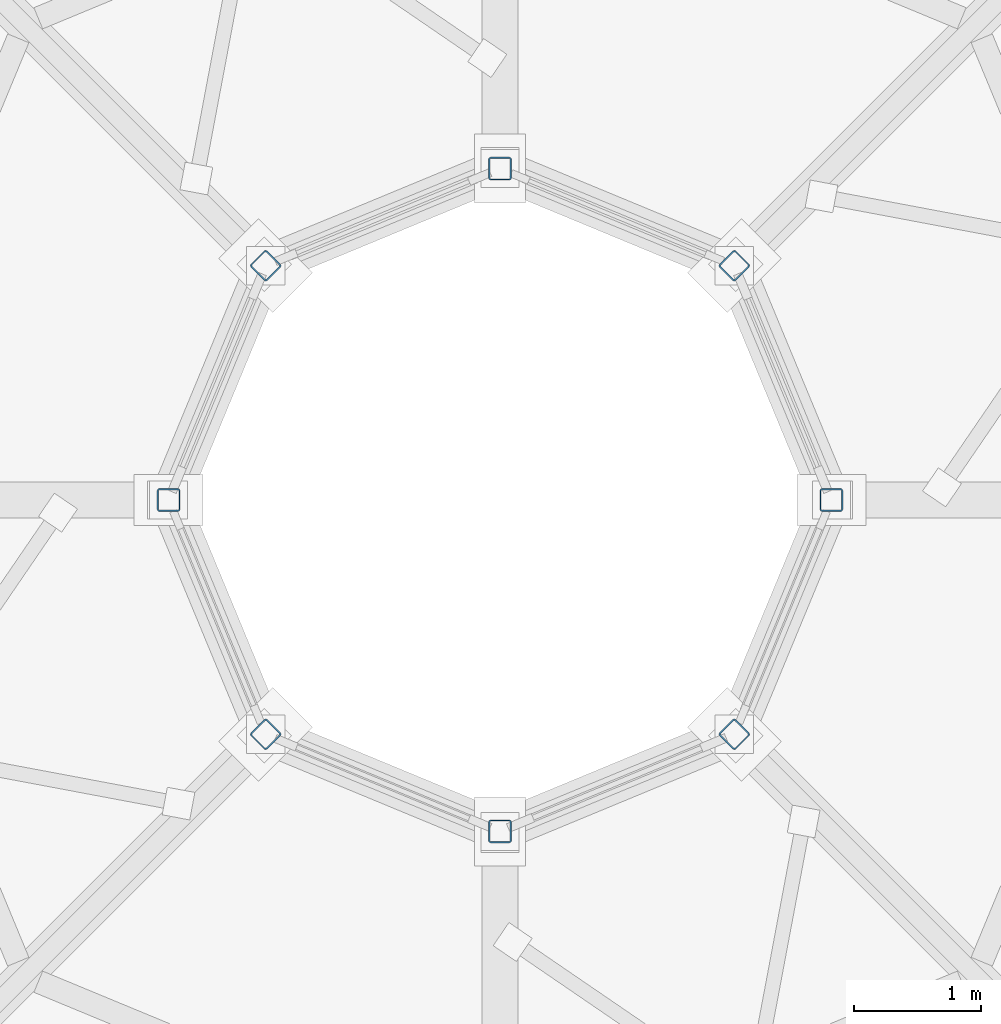
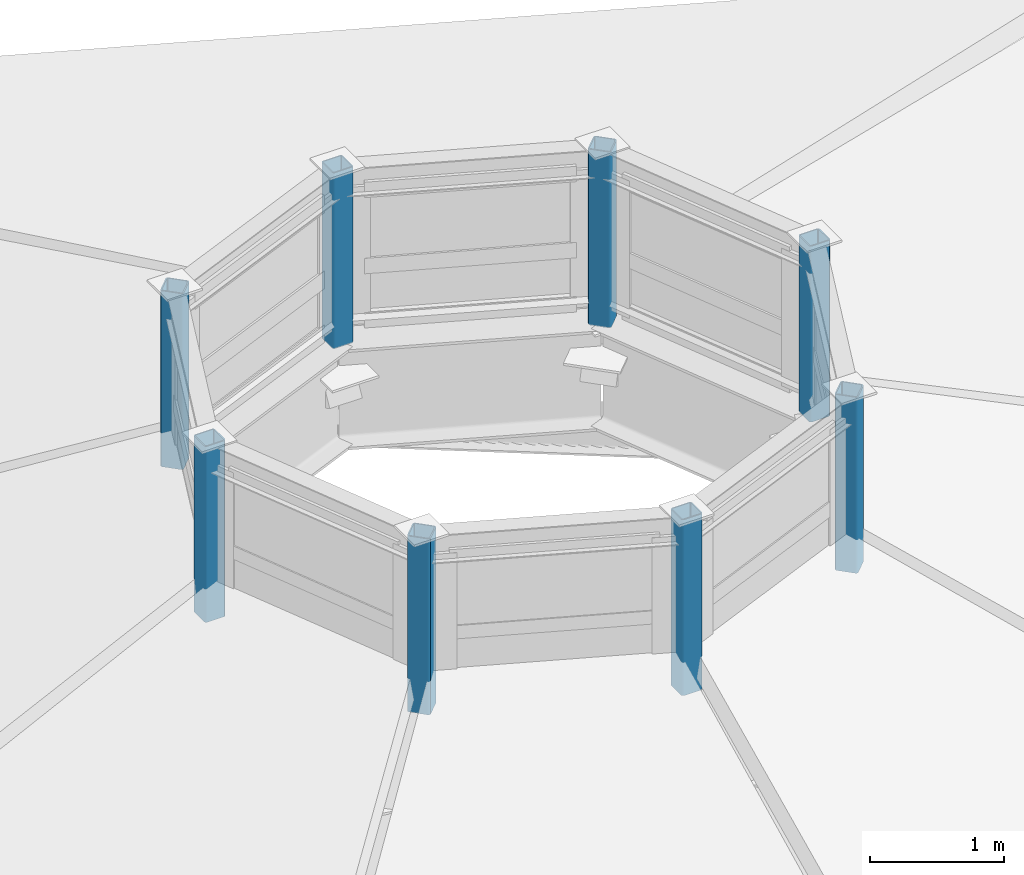
# One storey, part 11 of 66: 8 columns.
"""IFC4 building model written with IfcOpenShell, lengths in metres."""

import ifcopenshell
import ifcopenshell.guid

model = None  # the IFC model being written
_history = None  # IfcOwnerHistory: only IFC2X3 demands one
_inside = {}  # id of a spatial element -> (the spatial element, [elements in it])
_under = {}  # id of a project, library or spatial element -> (it, [spatial elements below it])
_declared = {}  # id of a project -> (the project, [libraries it declares])
_typed = {}  # id of a type object -> (the type object, [elements of that type])
_made_of = {}  # id of a material, layer set ... -> (it, [elements and type objects made of it])


def new_model(schema):
    """Start an empty IFC model of exactly this schema.

    Asked for "IFC4X3", IfcOpenShell would pick the latest addendum, in which some entities
    have other attributes; the version numbers below select the first issue.
    IFC2X3 requires an IfcOwnerHistory on every rooted entity: one is made here for all.
    """
    global model, _history
    if schema == "IFC4X3":
        model = ifcopenshell.file(schema_version=(4, 3, 0, 0))
    else:
        model = ifcopenshell.file(schema=schema)
    _inside.clear()
    _under.clear()
    _declared.clear()
    _typed.clear()
    _made_of.clear()
    _history = None
    if model.schema == "IFC2X3":
        org = make("IfcOrganization", Name="unknown")
        user = make(
            "IfcPersonAndOrganization",
            ThePerson=make("IfcPerson", FamilyName="unknown"),
            TheOrganization=org,
        )
        app = make(
            "IfcApplication",
            ApplicationDeveloper=org,
            Version="unknown",
            ApplicationFullName="unknown",
            ApplicationIdentifier="unknown",
        )
        _history = make(
            "IfcOwnerHistory",
            OwningUser=user,
            OwningApplication=app,
            ChangeAction="ADDED",
            CreationDate=0,
        )
    return model


def make(cls, **values):
    """One entity of the class cls with the attributes given. An attribute that is None is left unset."""
    return model.create_entity(
        cls, **{name: value for name, value in values.items() if value is not None}
    )


def rooted(cls, **values):
    """An entity with a GlobalId (a new one), such as an element, a storey or a relation."""
    return make(cls, GlobalId=ifcopenshell.guid.new(), OwnerHistory=_history, **values)


def si_unit(unit_type, name, prefix=None):
    """IfcSIUnit, for example si_unit("LENGTHUNIT", "METRE", prefix="MILLI")."""
    return make("IfcSIUnit", UnitType=unit_type, Prefix=prefix, Name=name)


def assignment(units):
    """IfcUnitAssignment: the units of a project."""
    return None if units is None else make("IfcUnitAssignment", Units=units)


def point(xyz):
    """IfcCartesianPoint."""
    return None if xyz is None else make("IfcCartesianPoint", Coordinates=xyz)


def direction(xyz):
    """IfcDirection."""
    return None if xyz is None else make("IfcDirection", DirectionRatios=xyz)


def frame(location, z_axis=None, x_axis=None):
    """IfcAxis2Placement3D, a coordinate frame: its origin and axes. An axis left out is left unset."""
    return make(
        "IfcAxis2Placement3D",
        Location=point(location),
        Axis=direction(z_axis),
        RefDirection=direction(x_axis),
    )


def frame_2d(location, x_axis=None):
    """IfcAxis2Placement2D, a coordinate frame in the plane: its origin and x axis."""
    return make(
        "IfcAxis2Placement2D", Location=point(location), RefDirection=direction(x_axis)
    )


def origin():
    """The frame at (0, 0, 0) with its axes left unset."""
    return frame((0.0, 0.0, 0.0))


def origin_2d():
    """The frame at (0, 0) in the plane with its x axis left unset."""
    return frame_2d((0.0, 0.0))


def place(relative_to, where):
    """IfcLocalPlacement: puts the frame where relative to a parent placement (None: the world)."""
    return make(
        "IfcLocalPlacement", PlacementRelTo=relative_to, RelativePlacement=where
    )


def context(
    kind, dimensions, precision=None, world=None, true_north=None, identifier=None
):
    """IfcGeometricRepresentationContext, for example the 3D "Model" context."""
    return make(
        "IfcGeometricRepresentationContext",
        ContextIdentifier=identifier,
        ContextType=kind,
        CoordinateSpaceDimension=dimensions,
        Precision=precision,
        WorldCoordinateSystem=world,
        TrueNorth=true_north,
    )


def subcontext(parent, identifier, kind, view, scale=None):
    """IfcGeometricRepresentationSubContext, for example "Body" below "Model"."""
    return make(
        "IfcGeometricRepresentationSubContext",
        ContextIdentifier=identifier,
        ContextType=kind,
        ParentContext=parent,
        TargetScale=scale,
        TargetView=view,
    )


def project(units=None, contexts=None):
    """IfcProject with its units and contexts."""
    return rooted(
        "IfcProject",
        Name="project",
        RepresentationContexts=contexts,
        UnitsInContext=assignment(units),
    )


def spatial(cls, under=None, at=None, **own):
    """A site, building, storey or space (cls), placed at a placement, below another one or the project."""
    s = rooted(cls, ObjectPlacement=at, **own)
    if under is not None:
        _under.setdefault(under.id(), (under, []))[1].append(s)
    return s


def profile(cls, at=None, kind="AREA", **sizes):
    """A parametric profile (cls). Its sizes go by their IFC names, for example OverallWidth=200.0."""
    return make(cls, ProfileType=kind, Position=at, **sizes)


def hollow_rectangle(**sizes):
    """IfcRectangleHollowProfileDef."""
    return profile("IfcRectangleHollowProfileDef", **sizes)


def extrude(swept, where, along, depth):
    """IfcExtrudedAreaSolid: the profile swept, set in the frame where, extruded along a direction by depth."""
    return make(
        "IfcExtrudedAreaSolid",
        SweptArea=swept,
        Position=where,
        ExtrudedDirection=direction(along),
        Depth=depth,
    )


def shape(context_of_items, identifier, shape_type, items):
    """IfcShapeRepresentation: the items that make up one representation, for example the "Body"."""
    return make(
        "IfcShapeRepresentation",
        ContextOfItems=context_of_items,
        RepresentationIdentifier=identifier,
        RepresentationType=shape_type,
        Items=items,
    )


def material(Name=None, Category=None):
    """IfcMaterial."""
    return make("IfcMaterial", Name=Name, Category=Category)


def material_profile(
    of_material, cross_section, Name=None, Category=None, Priority=None
):
    """IfcMaterialProfile: a cross section and its material."""
    return make(
        "IfcMaterialProfile",
        Name=Name,
        Material=of_material,
        Profile=cross_section,
        Priority=Priority,
        Category=Category,
    )


def profile_set(profiles, Name=None, composite=None):
    """IfcMaterialProfileSet."""
    return make(
        "IfcMaterialProfileSet",
        Name=Name,
        MaterialProfiles=profiles,
        CompositeProfile=composite,
    )


def made_of(thing, what):
    """Note that an element or type object is made of a material, layer set ...; save() writes the relation."""
    if what is not None:
        _made_of.setdefault(what.id(), (what, []))[1].append(thing)
    return thing


def type_object(cls, material=None, **own):
    """A type object (cls), such as IfcWallType, which elements share."""
    return made_of(rooted(cls, **own), material)


def element(
    cls,
    number,
    at=None,
    inside=None,
    cuts=None,
    type_object=None,
    material=None,
    context=None,
    identifier="Body",
    shape_type=None,
    held_by="IfcProductDefinitionShape",
    body=None,
    shapes=None,
    **own,
):
    """One element of the class cls, such as IfcWall. Its Tag is "e" and its number.

    at: its placement. inside: the storey or other place that contains it. cuts: it is an
    opening in that element (IfcRelVoidsElement). A single representation is given by context,
    identifier, shape_type and body (its items); several are given by shapes. held_by: the class
    of the entity that holds the representations. save() writes the other relations.
    """
    e = rooted(cls, Tag="e%d" % number, ObjectPlacement=at, **own)
    if body is not None:
        shapes = [shape(context, identifier, shape_type, body)]
    if shapes is not None:
        e.Representation = make(held_by, Representations=shapes)
    if inside is not None:
        _inside.setdefault(inside.id(), (inside, []))[1].append(e)
    if cuts is not None:
        rooted(
            "IfcRelVoidsElement", RelatingBuildingElement=cuts, RelatedOpeningElement=e
        )
    if type_object is not None:
        _typed.setdefault(type_object.id(), (type_object, []))[1].append(e)
    return made_of(e, material)


def aggregate(whole, parts):
    """IfcRelAggregates: a whole, such as a stair, and the parts it consists of."""
    return rooted("IfcRelAggregates", RelatingObject=whole, RelatedObjects=parts)


def save(model, path):
    """Write the relations noted so far, then the file.

    IfcRelAggregates (storeys below a building ...), IfcRelContainedInSpatialStructure (elements
    in a storey), IfcRelDefinesByType, IfcRelAssociatesMaterial and IfcRelDeclares: one each for
    every whole, place, type object, material and project.
    """
    for whole, parts in _under.values():
        aggregate(whole, parts)
    for where, things in _inside.values():
        rooted(
            "IfcRelContainedInSpatialStructure",
            RelatedElements=things,
            RelatingStructure=where,
        )
    for kind, things in _typed.values():
        rooted("IfcRelDefinesByType", RelatedObjects=things, RelatingType=kind)
    for what, things in _made_of.values():
        rooted("IfcRelAssociatesMaterial", RelatedObjects=things, RelatingMaterial=what)
    for by, libraries in _declared.values():
        rooted("IfcRelDeclares", RelatingContext=by, RelatedDefinitions=libraries)
    model.write(path)


model = new_model("IFC4")

# Units and contexts
model_context = context("Model", 3, precision=1e-05, world=origin(), true_north=direction((0.0, 1.0)))
body_context = subcontext(model_context, "Body", "Model", "MODEL_VIEW")
ifc_project = project(units=[si_unit("LENGTHUNIT", "METRE"), si_unit("AREAUNIT", "SQUARE_METRE"), si_unit("VOLUMEUNIT", "CUBIC_METRE"), si_unit("PLANEANGLEUNIT", "RADIAN"), si_unit("MASSUNIT", "GRAM", prefix="KILO")], contexts=[model_context])

# Site, building, storey
site_placement = place(None, origin())
site = spatial("IfcSite", under=ifc_project, at=site_placement, CompositionType="ELEMENT")
building_placement = place(site_placement, origin())
building = spatial("IfcBuilding", under=site, at=building_placement, Name="Caldaven Crescent School", CompositionType="ELEMENT")
storey_placement = place(building_placement, frame((0.0, 0.0, 8.159912109375)))
storey = spatial("IfcBuildingStorey", under=building, at=storey_placement, Name="L02", CompositionType="ELEMENT", Elevation=8.159912109375)

# Columns
ifc_material = material(Name="Steel ASTM A572 Grade 50", Category="steel")
ifc_material_profile = material_profile(ifc_material, hollow_rectangle(XDim=0.179931640625, YDim=0.179931640625, WallThickness=0.010009765625, InnerFilletRadius=0.010009765625, OuterFilletRadius=0.02001953125, at=origin_2d()), Name="HSS 180x180x10")
ifc_profile_set = profile_set([ifc_material_profile], Name="Steel ASTM A572 Grade 50")
column_type = type_object("IfcColumnType", Name="COL-HS18", PredefinedType="COLUMN", material=ifc_profile_set)
for number, where, z_axis, x_axis, name in (
    (1, (26.10009765625, 98.5, 6.650146484375), (0.0, 0.0, 1.0), (1.0, 0.0, 0.0), "KP-V2-00"),
    (2, (25.33837890625, 100.33837890625, 6.650146484375), (0.0, 0.0, 1.0), (0.707106781187, 0.707106781187, 0.0), "KP-V2-01"),
    (3, (23.5, 101.10009765625, 6.650146484375), (0.0, 0.0, 1.0), (0.0, 1.0, 0.0), "KP-V2-02"),
    (4, (21.66162109375, 100.33837890625, 6.650146484375), (0.0, 0.0, 1.0), (-0.707106781187, 0.707106781187, 0.0), "KP-V2-03"),
    (5, (20.89990234375, 98.5, 6.650146484375), (0.0, 0.0, 1.0), (-1.0, 0.0, 0.0), "KP-V2-04"),
    (6, (21.66162109375, 96.66162109375, 6.650146484375), (0.0, 0.0, 1.0), (-0.707106781187, -0.707106781187, 0.0), "KP-V2-05"),
    (7, (23.5, 95.89990234375, 6.650146484375), (0.0, 0.0, 1.0), (0.0, -1.0, 0.0), "KP-V2-06"),
    (8, (25.33837890625, 96.66162109375, 6.650146484375), (0.0, 0.0, 1.0), (0.707106781187, -0.707106781187, 0.0), "KP-V2-07"),
):
    element("IfcColumn", number, at=place(storey_placement, frame(where, z_axis=z_axis, x_axis=x_axis)), inside=storey, type_object=column_type, Name=name, PredefinedType="COLUMN", context=body_context, shape_type="SweptSolid", body=[
        extrude(hollow_rectangle(XDim=0.179931640625, YDim=0.179931640625, WallThickness=0.010009765625, InnerFilletRadius=0.010009765625, OuterFilletRadius=0.02001953125, at=origin_2d()), origin(), (0.0, 0.0, 1.0), 1.599853515625),
    ])

save(model, "model.ifc")
